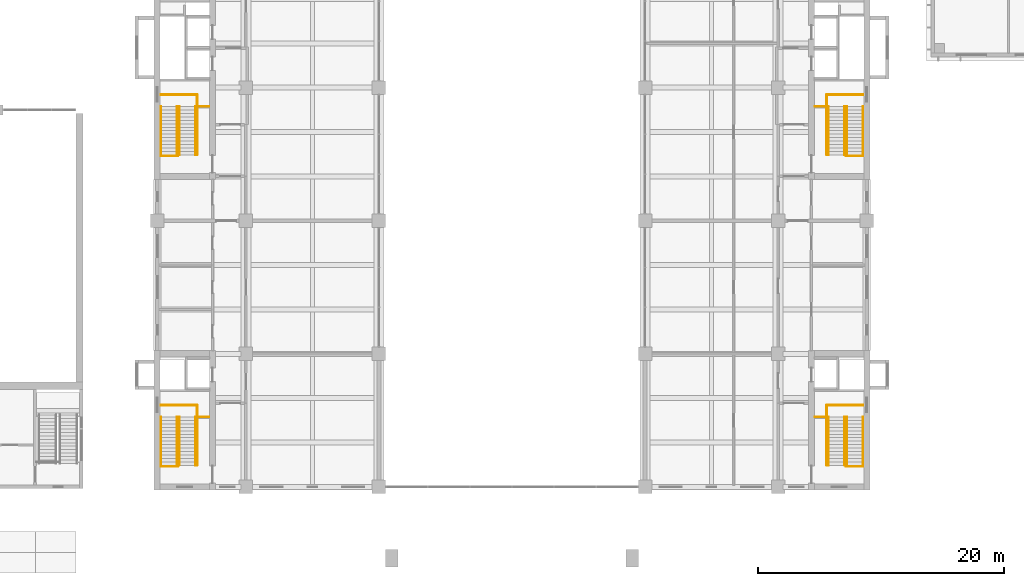
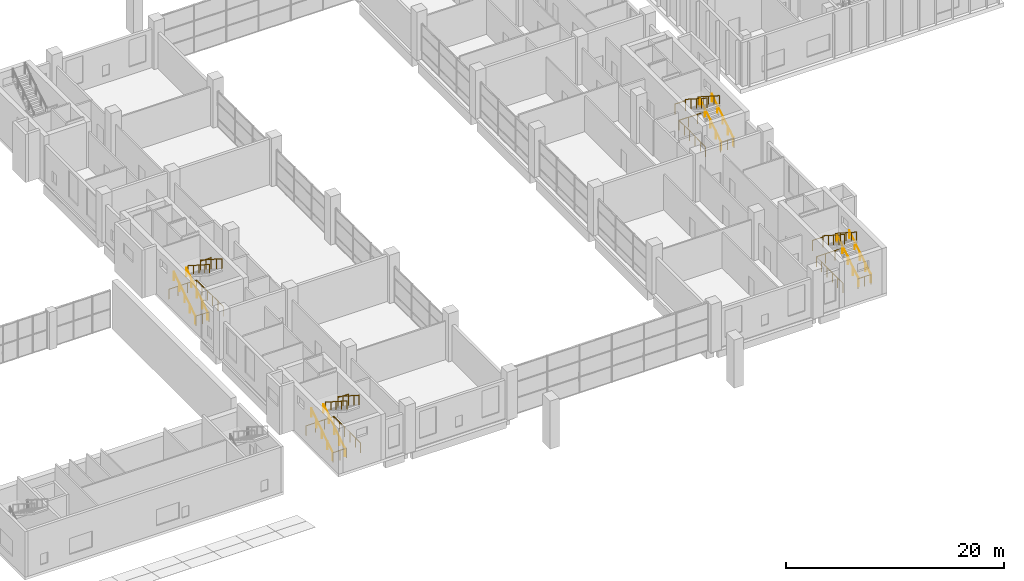
# One storey, part 30 of 33: 28 railings.
"""IFC4 building model written with IfcOpenShell, lengths in metres."""

from ifc_helpers import new_model, si_unit, direction, frame, origin, origin_2d, place, context, subcontext, project, spatial, circle, extrude, material, type_object, element, save


model = new_model("IFC4")

# Units and contexts
model_context = context("Model", 3, precision=1e-05, world=origin(), true_north=direction((0.0, 1.0)))
body_context = subcontext(model_context, "Body", "Model", "MODEL_VIEW")
ifc_project = project(units=[si_unit("LENGTHUNIT", "METRE"), si_unit("AREAUNIT", "SQUARE_METRE"), si_unit("VOLUMEUNIT", "CUBIC_METRE"), si_unit("PLANEANGLEUNIT", "RADIAN"), si_unit("MASSUNIT", "GRAM", prefix="KILO")], contexts=[model_context])

# Site, building, storey
site_placement = place(None, origin())
site = spatial("IfcSite", under=ifc_project, at=site_placement, CompositionType="ELEMENT")
building_placement = place(site_placement, origin())
building = spatial("IfcBuilding", under=site, at=building_placement, Name="Basin Gate Institute", CompositionType="ELEMENT")
storey_placement = place(building_placement, frame((0.0, 0.0, 6.0)))
storey = spatial("IfcBuildingStorey", under=building, at=storey_placement, Name="L01", CompositionType="ELEMENT", Elevation=6.0)

# Railings
ifc_material_1 = material(Name="Stainless steel", Category="steel")
railing_type_1 = type_object("IfcRailingType", Name="Stair guard GR1", PredefinedType="GUARDRAIL", material=ifc_material_1)
railing_1_placement = place(storey_placement, frame((64.449951171875, 36.85009765625, 0.0)))
element("IfcRailing", 1, at=railing_1_placement, inside=storey, type_object=railing_type_1, material=ifc_material_1, Name="Stair guard GR1 WS GD3-L00", PredefinedType="GUARDRAIL", context=body_context, shape_type="SweptSolid", body=[
    extrude(circle(Radius=0.02392578125, at=origin_2d()), frame((0.0, 0.0, 1.076171875), z_axis=(0.0, 1.0, 0.0), x_axis=(-1.0, 0.0, 0.0)), (0.0, 0.0, 1.0), 4.8798828125),
    extrude(circle(Radius=0.02392578125, at=origin_2d()), frame((0.0, 4.8798828125, 1.076171875), z_axis=(-1.0, 0.0, 0.0), x_axis=(0.0, -1.0, 0.0)), (0.0, 0.0, 1.0), 2.949951171875),
    extrude(circle(Radius=0.02099609375, at=origin_2d()), origin(), (0.0, 0.0, 1.0), 1.052001953125),
    extrude(circle(Radius=0.02099609375, at=origin_2d()), frame((0.0, 0.97607421875, 0.0)), (0.0, 0.0, 1.0), 1.052001953125),
    extrude(circle(Radius=0.02099609375, at=origin_2d()), frame((0.0, 1.951904296875, 0.0)), (0.0, 0.0, 1.0), 1.052001953125),
    extrude(circle(Radius=0.02099609375, at=origin_2d()), frame((0.0, 2.927978515625, 0.0)), (0.0, 0.0, 1.0), 1.052001953125),
    extrude(circle(Radius=0.02099609375, at=origin_2d()), frame((0.0, 3.90380859375, 0.0)), (0.0, 0.0, 1.0), 1.052001953125),
    extrude(circle(Radius=0.02099609375, at=origin_2d()), frame((0.0, 4.8798828125, 0.0)), (0.0, 0.0, 1.0), 1.052001953125),
    extrude(circle(Radius=0.02099609375, at=origin_2d()), frame((-0.9833984375, 4.8798828125, 0.0)), (0.0, 0.0, 1.0), 1.052001953125),
    extrude(circle(Radius=0.02099609375, at=origin_2d()), frame((-1.966552734375, 4.8798828125, 0.0)), (0.0, 0.0, 1.0), 1.052001953125),
    extrude(circle(Radius=0.02099609375, at=origin_2d()), frame((-2.949951171875, 4.8798828125, 0.0)), (0.0, 0.0, 1.0), 1.052001953125),
])
railing_2_placement = place(storey_placement, frame((61.5, 36.77001953125, 0.0)))
element("IfcRailing", 2, at=railing_2_placement, inside=storey, type_object=railing_type_1, material=ifc_material_1, Name="Stair guard GR1 WS GD4-L00", PredefinedType="GUARDRAIL", context=body_context, shape_type="SweptSolid", body=[
    extrude(circle(Radius=0.02392578125, at=origin_2d()), frame((0.0, 0.0, 1.076171875), z_axis=(1.0, 0.0, 0.0), x_axis=(0.0, 1.0, 0.0)), (0.0, 0.0, 1.0), 1.39990234375),
    extrude(circle(Radius=0.02099609375, at=origin_2d()), origin(), (0.0, 0.0, 1.0), 1.052001953125),
    extrude(circle(Radius=0.02099609375, at=origin_2d()), frame((0.699951171875, 0.0, 0.0)), (0.0, 0.0, 1.0), 1.052001953125),
    extrude(circle(Radius=0.02099609375, at=origin_2d()), frame((1.39990234375, 0.0, 0.0)), (0.0, 0.0, 1.0), 1.052001953125),
])
railing_3_placement = place(storey_placement, frame((64.449951171875, 62.050048828125, 0.0)))
element("IfcRailing", 3, at=railing_3_placement, inside=storey, type_object=railing_type_1, material=ifc_material_1, Name="Stair guard GR1 WM GD3-L00", PredefinedType="GUARDRAIL", context=body_context, shape_type="SweptSolid", body=[
    extrude(circle(Radius=0.02392578125, at=origin_2d()), frame((0.0, 0.0, 1.076171875), z_axis=(0.0, 1.0, 0.0), x_axis=(-1.0, 0.0, 0.0)), (0.0, 0.0, 1.0), 4.8798828125),
    extrude(circle(Radius=0.02392578125, at=origin_2d()), frame((0.0, 4.8798828125, 1.076171875), z_axis=(-1.0, 0.0, 0.0), x_axis=(0.0, -1.0, 0.0)), (0.0, 0.0, 1.0), 2.949951171875),
    extrude(circle(Radius=0.02099609375, at=origin_2d()), origin(), (0.0, 0.0, 1.0), 1.052001953125),
    extrude(circle(Radius=0.02099609375, at=origin_2d()), frame((0.0, 0.97607421875, 0.0)), (0.0, 0.0, 1.0), 1.052001953125),
    extrude(circle(Radius=0.02099609375, at=origin_2d()), frame((0.0, 1.951904296875, 0.0)), (0.0, 0.0, 1.0), 1.052001953125),
    extrude(circle(Radius=0.02099609375, at=origin_2d()), frame((0.0, 2.927978515625, 0.0)), (0.0, 0.0, 1.0), 1.052001953125),
    extrude(circle(Radius=0.02099609375, at=origin_2d()), frame((0.0, 3.90380859375, 0.0)), (0.0, 0.0, 1.0), 1.052001953125),
    extrude(circle(Radius=0.02099609375, at=origin_2d()), frame((0.0, 4.8798828125, 0.0)), (0.0, 0.0, 1.0), 1.052001953125),
    extrude(circle(Radius=0.02099609375, at=origin_2d()), frame((-0.9833984375, 4.8798828125, 0.0)), (0.0, 0.0, 1.0), 1.052001953125),
    extrude(circle(Radius=0.02099609375, at=origin_2d()), frame((-1.966552734375, 4.8798828125, 0.0)), (0.0, 0.0, 1.0), 1.052001953125),
    extrude(circle(Radius=0.02099609375, at=origin_2d()), frame((-2.949951171875, 4.8798828125, 0.0)), (0.0, 0.0, 1.0), 1.052001953125),
])
railing_4_placement = place(storey_placement, frame((61.5, 61.969970703125, 0.0)))
element("IfcRailing", 4, at=railing_4_placement, inside=storey, type_object=railing_type_1, material=ifc_material_1, Name="Stair guard GR1 WM GD4-L00", PredefinedType="GUARDRAIL", context=body_context, shape_type="SweptSolid", body=[
    extrude(circle(Radius=0.02392578125, at=origin_2d()), frame((0.0, 0.0, 1.076171875), z_axis=(1.0, 0.0, 0.0), x_axis=(0.0, 1.0, 0.0)), (0.0, 0.0, 1.0), 1.39990234375),
    extrude(circle(Radius=0.02099609375, at=origin_2d()), origin(), (0.0, 0.0, 1.0), 1.052001953125),
    extrude(circle(Radius=0.02099609375, at=origin_2d()), frame((0.699951171875, 0.0, 0.0)), (0.0, 0.0, 1.0), 1.052001953125),
    extrude(circle(Radius=0.02099609375, at=origin_2d()), frame((1.39990234375, 0.0, 0.0)), (0.0, 0.0, 1.0), 1.052001953125),
])
railing_5_placement = place(storey_placement, frame((115.550048828125, 36.85009765625, 0.0)))
element("IfcRailing", 5, at=railing_5_placement, inside=storey, type_object=railing_type_1, material=ifc_material_1, Name="Stair guard GR1 ES GD3-L00", PredefinedType="GUARDRAIL", context=body_context, shape_type="SweptSolid", body=[
    extrude(circle(Radius=0.02392578125, at=origin_2d()), frame((0.0, 0.0, 1.076171875), z_axis=(0.0, 1.0, 0.0), x_axis=(-1.0, 0.0, 0.0)), (0.0, 0.0, 1.0), 4.8798828125),
    extrude(circle(Radius=0.02392578125, at=origin_2d()), frame((0.0, 4.8798828125, 1.076171875), z_axis=(1.0, 0.0, 0.0), x_axis=(0.0, 1.0, 0.0)), (0.0, 0.0, 1.0), 2.949951171875),
    extrude(circle(Radius=0.02099609375, at=origin_2d()), origin(), (0.0, 0.0, 1.0), 1.052001953125),
    extrude(circle(Radius=0.02099609375, at=origin_2d()), frame((0.0, 0.97607421875, 0.0)), (0.0, 0.0, 1.0), 1.052001953125),
    extrude(circle(Radius=0.02099609375, at=origin_2d()), frame((0.0, 1.951904296875, 0.0)), (0.0, 0.0, 1.0), 1.052001953125),
    extrude(circle(Radius=0.02099609375, at=origin_2d()), frame((0.0, 2.927978515625, 0.0)), (0.0, 0.0, 1.0), 1.052001953125),
    extrude(circle(Radius=0.02099609375, at=origin_2d()), frame((0.0, 3.90380859375, 0.0)), (0.0, 0.0, 1.0), 1.052001953125),
    extrude(circle(Radius=0.02099609375, at=origin_2d()), frame((0.0, 4.8798828125, 0.0)), (0.0, 0.0, 1.0), 1.052001953125),
    extrude(circle(Radius=0.02099609375, at=origin_2d()), frame((0.9833984375, 4.8798828125, 0.0)), (0.0, 0.0, 1.0), 1.052001953125),
    extrude(circle(Radius=0.02099609375, at=origin_2d()), frame((1.966552734375, 4.8798828125, 0.0)), (0.0, 0.0, 1.0), 1.052001953125),
    extrude(circle(Radius=0.02099609375, at=origin_2d()), frame((2.949951171875, 4.8798828125, 0.0)), (0.0, 0.0, 1.0), 1.052001953125),
])
railing_6_placement = place(storey_placement, frame((118.5, 36.77001953125, 0.0)))
element("IfcRailing", 6, at=railing_6_placement, inside=storey, type_object=railing_type_1, material=ifc_material_1, Name="Stair guard GR1 ES GD4-L00", PredefinedType="GUARDRAIL", context=body_context, shape_type="SweptSolid", body=[
    extrude(circle(Radius=0.02392578125, at=origin_2d()), frame((0.0, 0.0, 1.076171875), z_axis=(-1.0, 0.0, 0.0), x_axis=(0.0, -1.0, 0.0)), (0.0, 0.0, 1.0), 1.39990234375),
    extrude(circle(Radius=0.02099609375, at=origin_2d()), origin(), (0.0, 0.0, 1.0), 1.052001953125),
    extrude(circle(Radius=0.02099609375, at=origin_2d()), frame((-0.699951171875, 0.0, 0.0)), (0.0, 0.0, 1.0), 1.052001953125),
    extrude(circle(Radius=0.02099609375, at=origin_2d()), frame((-1.39990234375, 0.0, 0.0)), (0.0, 0.0, 1.0), 1.052001953125),
])
railing_7_placement = place(storey_placement, frame((115.550048828125, 62.050048828125, 0.0)))
element("IfcRailing", 7, at=railing_7_placement, inside=storey, type_object=railing_type_1, material=ifc_material_1, Name="Stair guard GR1 EM GD3-L00", PredefinedType="GUARDRAIL", context=body_context, shape_type="SweptSolid", body=[
    extrude(circle(Radius=0.02392578125, at=origin_2d()), frame((0.0, 0.0, 1.076171875), z_axis=(0.0, 1.0, 0.0), x_axis=(-1.0, 0.0, 0.0)), (0.0, 0.0, 1.0), 4.8798828125),
    extrude(circle(Radius=0.02392578125, at=origin_2d()), frame((0.0, 4.8798828125, 1.076171875), z_axis=(1.0, 0.0, 0.0), x_axis=(0.0, 1.0, 0.0)), (0.0, 0.0, 1.0), 2.949951171875),
    extrude(circle(Radius=0.02099609375, at=origin_2d()), origin(), (0.0, 0.0, 1.0), 1.052001953125),
    extrude(circle(Radius=0.02099609375, at=origin_2d()), frame((0.0, 0.97607421875, 0.0)), (0.0, 0.0, 1.0), 1.052001953125),
    extrude(circle(Radius=0.02099609375, at=origin_2d()), frame((0.0, 1.951904296875, 0.0)), (0.0, 0.0, 1.0), 1.052001953125),
    extrude(circle(Radius=0.02099609375, at=origin_2d()), frame((0.0, 2.927978515625, 0.0)), (0.0, 0.0, 1.0), 1.052001953125),
    extrude(circle(Radius=0.02099609375, at=origin_2d()), frame((0.0, 3.90380859375, 0.0)), (0.0, 0.0, 1.0), 1.052001953125),
    extrude(circle(Radius=0.02099609375, at=origin_2d()), frame((0.0, 4.8798828125, 0.0)), (0.0, 0.0, 1.0), 1.052001953125),
    extrude(circle(Radius=0.02099609375, at=origin_2d()), frame((0.9833984375, 4.8798828125, 0.0)), (0.0, 0.0, 1.0), 1.052001953125),
    extrude(circle(Radius=0.02099609375, at=origin_2d()), frame((1.966552734375, 4.8798828125, 0.0)), (0.0, 0.0, 1.0), 1.052001953125),
    extrude(circle(Radius=0.02099609375, at=origin_2d()), frame((2.949951171875, 4.8798828125, 0.0)), (0.0, 0.0, 1.0), 1.052001953125),
])
railing_8_placement = place(storey_placement, frame((118.5, 61.969970703125, 0.0)))
element("IfcRailing", 8, at=railing_8_placement, inside=storey, type_object=railing_type_1, material=ifc_material_1, Name="Stair guard GR1 EM GD4-L00", PredefinedType="GUARDRAIL", context=body_context, shape_type="SweptSolid", body=[
    extrude(circle(Radius=0.02392578125, at=origin_2d()), frame((0.0, 0.0, 1.076171875), z_axis=(-1.0, 0.0, 0.0), x_axis=(0.0, -1.0, 0.0)), (0.0, 0.0, 1.0), 1.39990234375),
    extrude(circle(Radius=0.02099609375, at=origin_2d()), origin(), (0.0, 0.0, 1.0), 1.052001953125),
    extrude(circle(Radius=0.02099609375, at=origin_2d()), frame((-0.699951171875, 0.0, 0.0)), (0.0, 0.0, 1.0), 1.052001953125),
    extrude(circle(Radius=0.02099609375, at=origin_2d()), frame((-1.39990234375, 0.0, 0.0)), (0.0, 0.0, 1.0), 1.052001953125),
])
for number, where, name in (
    (9, (64.300048828125, 40.77001953125, 2.8798828125), "Stair guard GR1 WS GD1"),
    (10, (64.300048828125, 65.969970703125, 2.8798828125), "Stair guard GR1 WM GD1"),
    (11, (115.699951171875, 40.77001953125, 2.8798828125), "Stair guard GR1 ES GD1"),
    (12, (115.699951171875, 65.969970703125, 2.8798828125), "Stair guard GR1 EM GD1"),
):
    element("IfcRailing", number, at=place(storey_placement, frame(where)), inside=storey, type_object=railing_type_1, material=ifc_material_1, Name=name, PredefinedType="GUARDRAIL", context=body_context, shape_type="SweptSolid", body=[
        extrude(circle(Radius=0.02392578125, at=origin_2d()), frame((0.0, 0.0, 1.076171875), z_axis=(0.0, -0.841171666519, 0.540768182723), x_axis=(1.0, 0.0, 0.0)), (0.0, 0.0, 1.0), 4.66015625),
        extrude(circle(Radius=0.02099609375, at=origin_2d()), origin(), (0.0, 0.0, 1.0), 1.052001953125),
        extrude(circle(Radius=0.02099609375, at=origin_2d()), frame((0.0, -0.97998046875, 0.6298828125)), (0.0, 0.0, 1.0), 1.052001953125),
        extrude(circle(Radius=0.02099609375, at=origin_2d()), frame((0.0, -1.9599609375, 1.260009765625)), (0.0, 0.0, 1.0), 1.052001953125),
        extrude(circle(Radius=0.02099609375, at=origin_2d()), frame((0.0, -2.93994140625, 1.89013671875)), (0.0, 0.0, 1.0), 1.052001953125),
        extrude(circle(Radius=0.02099609375, at=origin_2d()), frame((0.0, -3.919921875, 2.52001953125)), (0.0, 0.0, 1.0), 1.052001953125),
    ])
ifc_material_2 = material(Name="Stainless steel", Category="steel")
railing_type_2 = type_object("IfcRailingType", Name="Stair guard GR3", PredefinedType="GUARDRAIL", material=ifc_material_2)
for number, where, name in (
    (13, (64.300048828125, 40.77001953125, 2.699951171875), "Stair guard GR3 WS GD2"),
    (14, (64.300048828125, 65.969970703125, 2.699951171875), "Stair guard GR3 WM GD2"),
):
    element("IfcRailing", number, at=place(storey_placement, frame(where)), inside=storey, type_object=railing_type_2, material=ifc_material_2, Name=name, PredefinedType="GUARDRAIL", context=body_context, shape_type="SweptSolid", body=[
        extrude(circle(Radius=0.02392578125, at=origin_2d()), frame((0.0, 0.0, 1.1259765625), z_axis=(1.0, 0.0, 0.0), x_axis=(0.0, 1.0, 0.0)), (0.0, 0.0, 1.0), 1.119873046875),
        extrude(circle(Radius=0.02099609375, at=origin_2d()), origin(), (0.0, 0.0, 1.0), 1.101806640625),
        extrude(circle(Radius=0.02099609375, at=origin_2d()), frame((1.119873046875, 0.0, 0.0)), (0.0, 0.0, 1.0), 1.101806640625),
    ])
for number, where, name in (
    (15, (115.699951171875, 40.77001953125, 2.699951171875), "Stair guard GR3 ES GD2"),
    (16, (115.699951171875, 65.969970703125, 2.699951171875), "Stair guard GR3 EM GD2"),
):
    element("IfcRailing", number, at=place(storey_placement, frame(where)), inside=storey, type_object=railing_type_2, material=ifc_material_2, Name=name, PredefinedType="GUARDRAIL", context=body_context, shape_type="SweptSolid", body=[
        extrude(circle(Radius=0.02392578125, at=origin_2d()), frame((0.0, 0.0, 1.1259765625), z_axis=(-1.0, 0.0, 0.0), x_axis=(0.0, -1.0, 0.0)), (0.0, 0.0, 1.0), 1.119873046875),
        extrude(circle(Radius=0.02099609375, at=origin_2d()), origin(), (0.0, 0.0, 1.0), 1.101806640625),
        extrude(circle(Radius=0.02099609375, at=origin_2d()), frame((-1.119873046875, 0.0, 0.0)), (0.0, 0.0, 1.0), 1.101806640625),
    ])
ifc_material_3 = material(Name="Stainless steel", Category="steel")
railing_type_3 = type_object("IfcRailingType", Name="Stair handrail HR1", PredefinedType="HANDRAIL", material=ifc_material_3)
for number, where, name in (
    (17, (61.5, 36.85009765625, 0.179931640625), "Stair handrail HR1 WS HR1"),
    (18, (62.800048828125, 36.85009765625, 0.179931640625), "Stair handrail HR1 WS HR2"),
):
    element("IfcRailing", number, at=place(storey_placement, frame(where)), inside=storey, type_object=railing_type_3, material=ifc_material_3, Name=name, PredefinedType="HANDRAIL", context=body_context, shape_type="SweptSolid", body=[
        extrude(circle(Radius=0.02392578125, at=origin_2d()), frame((0.0, 0.0, 0.89599609375), z_axis=(0.0, 0.841171666519, 0.540768182723), x_axis=(-1.0, 0.0, 0.0)), (0.0, 0.0, 1.0), 4.66015625),
        extrude(circle(Radius=0.02099609375, at=origin_2d()), origin(), (0.0, 0.0, 1.0), 0.871826171875),
        extrude(circle(Radius=0.02099609375, at=origin_2d()), frame((0.0, 0.97998046875, 0.6298828125)), (0.0, 0.0, 1.0), 0.871826171875),
        extrude(circle(Radius=0.02099609375, at=origin_2d()), frame((0.0, 1.9599609375, 1.260009765625)), (0.0, 0.0, 1.0), 0.871826171875),
        extrude(circle(Radius=0.02099609375, at=origin_2d()), frame((0.0, 2.93994140625, 1.89013671875)), (0.0, 0.0, 1.0), 0.871826171875),
        extrude(circle(Radius=0.02099609375, at=origin_2d()), frame((0.0, 3.919921875, 2.52001953125)), (0.0, 0.0, 1.0), 0.871826171875),
    ])
railing_9_placement = place(storey_placement, frame((63.0, 40.77001953125, 2.8798828125)))
element("IfcRailing", 19, at=railing_9_placement, inside=storey, type_object=railing_type_3, material=ifc_material_3, Name="Stair handrail HR1 WS HR3", PredefinedType="HANDRAIL", context=body_context, shape_type="SweptSolid", body=[
    extrude(circle(Radius=0.02392578125, at=origin_2d()), frame((0.0, 0.0, 0.89599609375), z_axis=(0.0, -0.841171666519, 0.540768182723), x_axis=(1.0, 0.0, 0.0)), (0.0, 0.0, 1.0), 4.66015625),
    extrude(circle(Radius=0.02099609375, at=origin_2d()), origin(), (0.0, 0.0, 1.0), 0.871826171875),
    extrude(circle(Radius=0.02099609375, at=origin_2d()), frame((0.0, -0.97998046875, 0.6298828125)), (0.0, 0.0, 1.0), 0.871826171875),
    extrude(circle(Radius=0.02099609375, at=origin_2d()), frame((0.0, -1.9599609375, 1.260009765625)), (0.0, 0.0, 1.0), 0.871826171875),
    extrude(circle(Radius=0.02099609375, at=origin_2d()), frame((0.0, -2.93994140625, 1.89013671875)), (0.0, 0.0, 1.0), 0.871826171875),
    extrude(circle(Radius=0.02099609375, at=origin_2d()), frame((0.0, -3.919921875, 2.52001953125)), (0.0, 0.0, 1.0), 0.871826171875),
])
for number, where, name in (
    (20, (61.5, 62.050048828125, 0.179931640625), "Stair handrail HR1 WM HR1"),
    (21, (62.800048828125, 62.050048828125, 0.179931640625), "Stair handrail HR1 WM HR2"),
):
    element("IfcRailing", number, at=place(storey_placement, frame(where)), inside=storey, type_object=railing_type_3, material=ifc_material_3, Name=name, PredefinedType="HANDRAIL", context=body_context, shape_type="SweptSolid", body=[
        extrude(circle(Radius=0.02392578125, at=origin_2d()), frame((0.0, 0.0, 0.89599609375), z_axis=(0.0, 0.841171666519, 0.540768182723), x_axis=(-1.0, 0.0, 0.0)), (0.0, 0.0, 1.0), 4.66015625),
        extrude(circle(Radius=0.02099609375, at=origin_2d()), origin(), (0.0, 0.0, 1.0), 0.871826171875),
        extrude(circle(Radius=0.02099609375, at=origin_2d()), frame((0.0, 0.97998046875, 0.6298828125)), (0.0, 0.0, 1.0), 0.871826171875),
        extrude(circle(Radius=0.02099609375, at=origin_2d()), frame((0.0, 1.9599609375, 1.260009765625)), (0.0, 0.0, 1.0), 0.871826171875),
        extrude(circle(Radius=0.02099609375, at=origin_2d()), frame((0.0, 2.93994140625, 1.89013671875)), (0.0, 0.0, 1.0), 0.871826171875),
        extrude(circle(Radius=0.02099609375, at=origin_2d()), frame((0.0, 3.919921875, 2.52001953125)), (0.0, 0.0, 1.0), 0.871826171875),
    ])
railing_10_placement = place(storey_placement, frame((63.0, 65.969970703125, 2.8798828125)))
element("IfcRailing", 22, at=railing_10_placement, inside=storey, type_object=railing_type_3, material=ifc_material_3, Name="Stair handrail HR1 WM HR3", PredefinedType="HANDRAIL", context=body_context, shape_type="SweptSolid", body=[
    extrude(circle(Radius=0.02392578125, at=origin_2d()), frame((0.0, 0.0, 0.89599609375), z_axis=(0.0, -0.841171666519, 0.540768182723), x_axis=(1.0, 0.0, 0.0)), (0.0, 0.0, 1.0), 4.66015625),
    extrude(circle(Radius=0.02099609375, at=origin_2d()), origin(), (0.0, 0.0, 1.0), 0.871826171875),
    extrude(circle(Radius=0.02099609375, at=origin_2d()), frame((0.0, -0.97998046875, 0.6298828125)), (0.0, 0.0, 1.0), 0.871826171875),
    extrude(circle(Radius=0.02099609375, at=origin_2d()), frame((0.0, -1.9599609375, 1.260009765625)), (0.0, 0.0, 1.0), 0.871826171875),
    extrude(circle(Radius=0.02099609375, at=origin_2d()), frame((0.0, -2.93994140625, 1.89013671875)), (0.0, 0.0, 1.0), 0.871826171875),
    extrude(circle(Radius=0.02099609375, at=origin_2d()), frame((0.0, -3.919921875, 2.52001953125)), (0.0, 0.0, 1.0), 0.871826171875),
])
for number, where, name in (
    (23, (118.5, 36.85009765625, 0.179931640625), "Stair handrail HR1 ES HR1"),
    (24, (117.199951171875, 36.85009765625, 0.179931640625), "Stair handrail HR1 ES HR2"),
):
    element("IfcRailing", number, at=place(storey_placement, frame(where)), inside=storey, type_object=railing_type_3, material=ifc_material_3, Name=name, PredefinedType="HANDRAIL", context=body_context, shape_type="SweptSolid", body=[
        extrude(circle(Radius=0.02392578125, at=origin_2d()), frame((0.0, 0.0, 0.89599609375), z_axis=(0.0, 0.841171666519, 0.540768182723), x_axis=(-1.0, 0.0, 0.0)), (0.0, 0.0, 1.0), 4.66015625),
        extrude(circle(Radius=0.02099609375, at=origin_2d()), origin(), (0.0, 0.0, 1.0), 0.871826171875),
        extrude(circle(Radius=0.02099609375, at=origin_2d()), frame((0.0, 0.97998046875, 0.6298828125)), (0.0, 0.0, 1.0), 0.871826171875),
        extrude(circle(Radius=0.02099609375, at=origin_2d()), frame((0.0, 1.9599609375, 1.260009765625)), (0.0, 0.0, 1.0), 0.871826171875),
        extrude(circle(Radius=0.02099609375, at=origin_2d()), frame((0.0, 2.93994140625, 1.89013671875)), (0.0, 0.0, 1.0), 0.871826171875),
        extrude(circle(Radius=0.02099609375, at=origin_2d()), frame((0.0, 3.919921875, 2.52001953125)), (0.0, 0.0, 1.0), 0.871826171875),
    ])
railing_11_placement = place(storey_placement, frame((117.0, 40.77001953125, 2.8798828125)))
element("IfcRailing", 25, at=railing_11_placement, inside=storey, type_object=railing_type_3, material=ifc_material_3, Name="Stair handrail HR1 ES HR3", PredefinedType="HANDRAIL", context=body_context, shape_type="SweptSolid", body=[
    extrude(circle(Radius=0.02392578125, at=origin_2d()), frame((0.0, 0.0, 0.89599609375), z_axis=(0.0, -0.841171666519, 0.540768182723), x_axis=(1.0, 0.0, 0.0)), (0.0, 0.0, 1.0), 4.66015625),
    extrude(circle(Radius=0.02099609375, at=origin_2d()), origin(), (0.0, 0.0, 1.0), 0.871826171875),
    extrude(circle(Radius=0.02099609375, at=origin_2d()), frame((0.0, -0.97998046875, 0.6298828125)), (0.0, 0.0, 1.0), 0.871826171875),
    extrude(circle(Radius=0.02099609375, at=origin_2d()), frame((0.0, -1.9599609375, 1.260009765625)), (0.0, 0.0, 1.0), 0.871826171875),
    extrude(circle(Radius=0.02099609375, at=origin_2d()), frame((0.0, -2.93994140625, 1.89013671875)), (0.0, 0.0, 1.0), 0.871826171875),
    extrude(circle(Radius=0.02099609375, at=origin_2d()), frame((0.0, -3.919921875, 2.52001953125)), (0.0, 0.0, 1.0), 0.871826171875),
])
for number, where, name in (
    (26, (118.5, 62.050048828125, 0.179931640625), "Stair handrail HR1 EM HR1"),
    (27, (117.199951171875, 62.050048828125, 0.179931640625), "Stair handrail HR1 EM HR2"),
):
    element("IfcRailing", number, at=place(storey_placement, frame(where)), inside=storey, type_object=railing_type_3, material=ifc_material_3, Name=name, PredefinedType="HANDRAIL", context=body_context, shape_type="SweptSolid", body=[
        extrude(circle(Radius=0.02392578125, at=origin_2d()), frame((0.0, 0.0, 0.89599609375), z_axis=(0.0, 0.841171666519, 0.540768182723), x_axis=(-1.0, 0.0, 0.0)), (0.0, 0.0, 1.0), 4.66015625),
        extrude(circle(Radius=0.02099609375, at=origin_2d()), origin(), (0.0, 0.0, 1.0), 0.871826171875),
        extrude(circle(Radius=0.02099609375, at=origin_2d()), frame((0.0, 0.97998046875, 0.6298828125)), (0.0, 0.0, 1.0), 0.871826171875),
        extrude(circle(Radius=0.02099609375, at=origin_2d()), frame((0.0, 1.9599609375, 1.260009765625)), (0.0, 0.0, 1.0), 0.871826171875),
        extrude(circle(Radius=0.02099609375, at=origin_2d()), frame((0.0, 2.93994140625, 1.89013671875)), (0.0, 0.0, 1.0), 0.871826171875),
        extrude(circle(Radius=0.02099609375, at=origin_2d()), frame((0.0, 3.919921875, 2.52001953125)), (0.0, 0.0, 1.0), 0.871826171875),
    ])
railing_12_placement = place(storey_placement, frame((117.0, 65.969970703125, 2.8798828125)))
element("IfcRailing", 28, at=railing_12_placement, inside=storey, type_object=railing_type_3, material=ifc_material_3, Name="Stair handrail HR1 EM HR3", PredefinedType="HANDRAIL", context=body_context, shape_type="SweptSolid", body=[
    extrude(circle(Radius=0.02392578125, at=origin_2d()), frame((0.0, 0.0, 0.89599609375), z_axis=(0.0, -0.841171666519, 0.540768182723), x_axis=(1.0, 0.0, 0.0)), (0.0, 0.0, 1.0), 4.66015625),
    extrude(circle(Radius=0.02099609375, at=origin_2d()), origin(), (0.0, 0.0, 1.0), 0.871826171875),
    extrude(circle(Radius=0.02099609375, at=origin_2d()), frame((0.0, -0.97998046875, 0.6298828125)), (0.0, 0.0, 1.0), 0.871826171875),
    extrude(circle(Radius=0.02099609375, at=origin_2d()), frame((0.0, -1.9599609375, 1.260009765625)), (0.0, 0.0, 1.0), 0.871826171875),
    extrude(circle(Radius=0.02099609375, at=origin_2d()), frame((0.0, -2.93994140625, 1.89013671875)), (0.0, 0.0, 1.0), 0.871826171875),
    extrude(circle(Radius=0.02099609375, at=origin_2d()), frame((0.0, -3.919921875, 2.52001953125)), (0.0, 0.0, 1.0), 0.871826171875),
])

save(model, "model.ifc")
